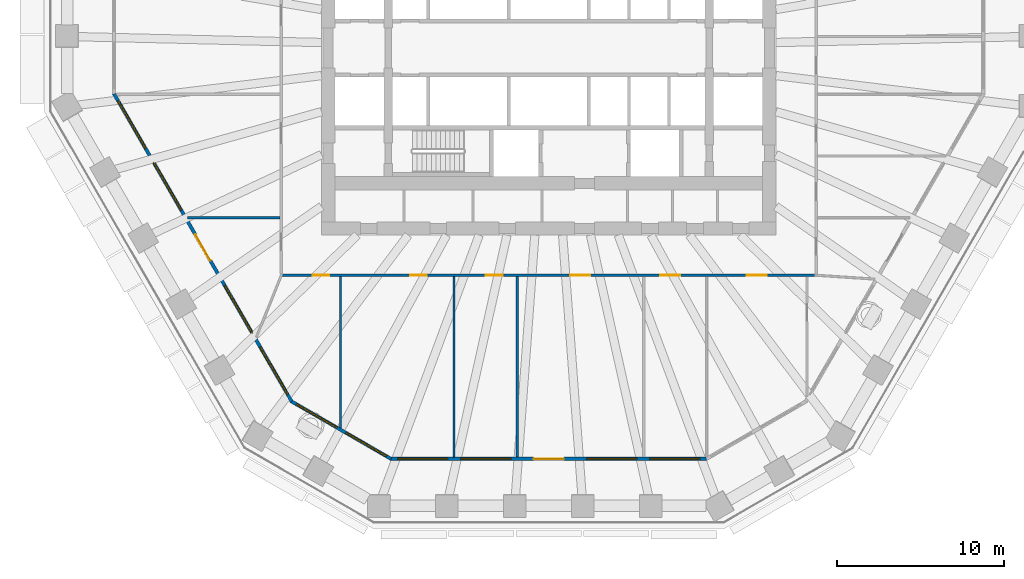
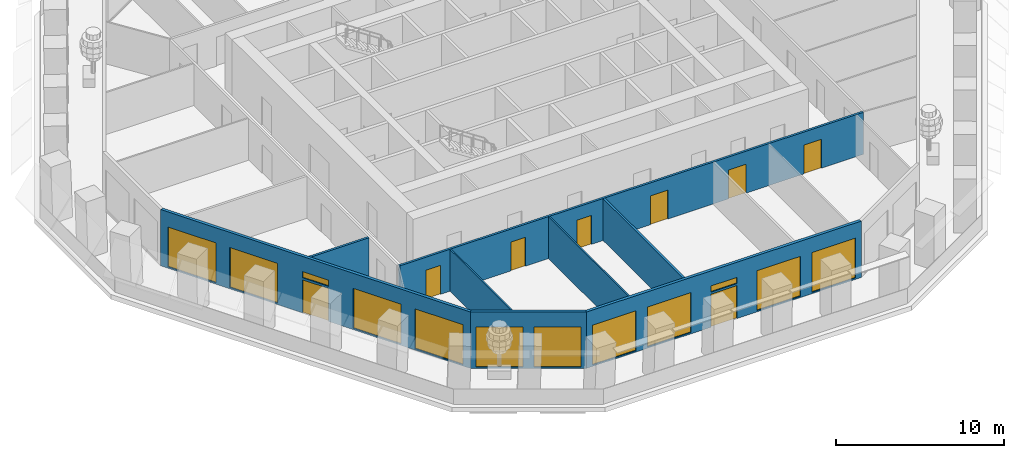
# One storey, part 3 of 13: 12 windows, 8 doors, 8 walls, 20 openings.
"""IFC4 building model written with IfcOpenShell, lengths in metres."""

from ifc_helpers import new_model, si_unit, direction, frame, frame_2d, origin, place, context, subcontext, project, spatial, polyline, rectangle, outline, extrude, material, layer, layer_set, type_object, element, fill, save


model = new_model("IFC4")

# Units and contexts
model_context = context("Model", 3, precision=1e-05, world=origin(), true_north=direction((0.0, 1.0)))
body_context = subcontext(model_context, "Body", "Model", "MODEL_VIEW")
ifc_project = project(units=[si_unit("LENGTHUNIT", "METRE"), si_unit("AREAUNIT", "SQUARE_METRE"), si_unit("VOLUMEUNIT", "CUBIC_METRE"), si_unit("PLANEANGLEUNIT", "RADIAN"), si_unit("MASSUNIT", "GRAM", prefix="KILO")], contexts=[model_context])

# Site, building, storey
site_placement = place(None, origin())
site = spatial("IfcSite", under=ifc_project, at=site_placement, CompositionType="ELEMENT")
building_placement = place(site_placement, origin())
building = spatial("IfcBuilding", under=site, at=building_placement, Name="Frailejon Research Tower", CompositionType="ELEMENT")
storey_placement = place(building_placement, frame((0.0, 0.0, 102.800048828125)))
storey = spatial("IfcBuildingStorey", under=building, at=storey_placement, Name="L22", CompositionType="ELEMENT", Elevation=102.800048828125)

# Wall, openings, doors
ifc_material_1 = material(Name="Gypsum board and masonry partition", Category="masonry")
ifc_layer_1 = layer(ifc_material_1, 0.14990234375)
ifc_layer_set_1 = layer_set([ifc_layer_1], Name="Corridor wall EI 60, gypsum on steel studs 150")
wall_type_1 = type_object("IfcWallType", Name="Corridor wall EI 60, gypsum on steel studs 150", PredefinedType="PARTITIONING", material=ifc_layer_set_1)
wall_1_placement = place(storey_placement, frame((-15.949951171875, -13.60009765625, 0.0), z_axis=(0.0, 0.0, 1.0), x_axis=(1.0, 0.0, 0.0)))
wall_1 = element("IfcWall", 1, at=wall_1_placement, inside=storey, type_object=wall_type_1, Name="T:IW:L22:004", PredefinedType="PARTITIONING", context=body_context, shape_type="SweptSolid", body=[
    extrude(rectangle(XDim=31.89990234375, YDim=0.14990234375, at=frame_2d((15.949951171875, 0.0))), origin(), (0.0, 0.0, 1.0), 3.050048828125),
])
opening_1_placement = place(wall_1_placement, frame((1.81787109375, 0.0, 0.0)))
opening_1 = element("IfcOpeningElement", 2, at=opening_1_placement, cuts=wall_1, Name="Opening D1588", PredefinedType="OPENING", context=body_context, shape_type="SweptSolid", body=[
    extrude(rectangle(XDim=1.0, YDim=2.10009765625, at=frame_2d((0.5, 1.050048828125))), frame((0.0, 0.0849609375, 0.0), z_axis=(0.0, -1.0, 0.0), x_axis=(1.0, 0.0, 0.0)), (0.0, 0.0, 1.0), 0.169921875),
])
opening_2_placement = place(wall_1_placement, frame((7.65478515625, 0.0, 0.0)))
opening_2 = element("IfcOpeningElement", 3, at=opening_2_placement, cuts=wall_1, Name="Opening D1589", PredefinedType="OPENING", context=body_context, shape_type="SweptSolid", body=[
    extrude(rectangle(XDim=1.0, YDim=2.10009765625, at=frame_2d((0.5, 1.050048828125))), frame((0.0, 0.0849609375, 0.0), z_axis=(0.0, -1.0, 0.0), x_axis=(1.0, 0.0, 0.0)), (0.0, 0.0, 1.0), 0.169921875),
])
opening_3_placement = place(wall_1_placement, frame((12.187744140625, 0.0, 0.0)))
opening_3 = element("IfcOpeningElement", 4, at=opening_3_placement, cuts=wall_1, Name="Opening D1590", PredefinedType="OPENING", context=body_context, shape_type="SweptSolid", body=[
    extrude(rectangle(XDim=1.0, YDim=2.10009765625, at=frame_2d((0.5, 1.050048828125))), frame((0.0, 0.0849609375, 0.0), z_axis=(0.0, -1.0, 0.0), x_axis=(1.0, 0.0, 0.0)), (0.0, 0.0, 1.0), 0.169921875),
])
opening_4_placement = place(wall_1_placement, frame((17.241455078125, 0.0, 0.0)))
opening_4 = element("IfcOpeningElement", 5, at=opening_4_placement, cuts=wall_1, Name="Opening D1591", PredefinedType="OPENING", context=body_context, shape_type="SweptSolid", body=[
    extrude(rectangle(XDim=1.199951171875, YDim=2.10009765625, at=frame_2d((0.60009765625, 1.050048828125))), frame((0.0, 0.0849609375, 0.0), z_axis=(0.0, -1.0, 0.0), x_axis=(1.0, 0.0, 0.0)), (0.0, 0.0, 1.0), 0.169921875),
])
opening_5_placement = place(wall_1_placement, frame((22.63330078125, 0.0, 0.0)))
opening_5 = element("IfcOpeningElement", 6, at=opening_5_placement, cuts=wall_1, Name="Opening D1592", PredefinedType="OPENING", context=body_context, shape_type="SweptSolid", body=[
    extrude(rectangle(XDim=1.199951171875, YDim=2.10009765625, at=frame_2d((0.60009765625, 1.050048828125))), frame((0.0, 0.0849609375, 0.0), z_axis=(0.0, -1.0, 0.0), x_axis=(1.0, 0.0, 0.0)), (0.0, 0.0, 1.0), 0.169921875),
])
opening_6_placement = place(wall_1_placement, frame((27.80712890625, 0.0, 0.0)))
opening_6 = element("IfcOpeningElement", 7, at=opening_6_placement, cuts=wall_1, Name="Opening D1593", PredefinedType="OPENING", context=body_context, shape_type="SweptSolid", body=[
    extrude(rectangle(XDim=1.199951171875, YDim=2.10009765625, at=frame_2d((0.60009765625, 1.050048828125))), frame((0.0, 0.0849609375, 0.0), z_axis=(0.0, -1.0, 0.0), x_axis=(1.0, 0.0, 0.0)), (0.0, 0.0, 1.0), 0.169921875),
])
ifc_material_2 = material(Name="Timber door leaf", Category="wood")
door_type_1 = type_object("IfcDoorType", Name="Door laboratory, timber, vision panel 1200", OperationType="NOTDEFINED", PredefinedType="DOOR", material=ifc_material_2)
door_1_placement = place(opening_4_placement, origin())
door_1 = element("IfcDoor", 8, at=door_1_placement, inside=storey, type_object=door_type_1, Name="D1591", OperationType="DOUBLE_DOOR_SINGLE_SWING", OverallHeight=2.10009765625, OverallWidth=1.199951171875, PredefinedType="DOOR", context=body_context, shape_type="SweptSolid", body=[
    extrude(rectangle(XDim=1.199951171875, YDim=2.10009765625, at=frame_2d((0.60009765625, 1.050048828125))), frame((0.0, 0.02490234375, 0.0), z_axis=(0.0, -1.0, 0.0), x_axis=(1.0, 0.0, 0.0)), (0.0, 0.0, 1.0), 0.050048828125),
])
fill(opening_4, door_1)
ifc_material_3 = material(Name="Timber door leaf", Category="wood")
door_type_2 = type_object("IfcDoorType", Name="Door single leaf, timber, steel frame 1000", OperationType="NOTDEFINED", PredefinedType="DOOR", material=ifc_material_3)
door_2_placement = place(opening_1_placement, origin())
door_2 = element("IfcDoor", 9, at=door_2_placement, inside=storey, type_object=door_type_2, Name="D1588", OperationType="SINGLE_SWING_LEFT", OverallHeight=2.10009765625, OverallWidth=1.0, PredefinedType="DOOR", context=body_context, shape_type="SweptSolid", body=[
    extrude(rectangle(XDim=1.0, YDim=2.10009765625, at=frame_2d((0.5, 1.050048828125))), frame((0.0, 0.02490234375, 0.0), z_axis=(0.0, -1.0, 0.0), x_axis=(1.0, 0.0, 0.0)), (0.0, 0.0, 1.0), 0.050048828125),
])
fill(opening_1, door_2)
door_3_placement = place(opening_2_placement, origin())
door_3 = element("IfcDoor", 10, at=door_3_placement, inside=storey, type_object=door_type_2, Name="D1589", OperationType="SINGLE_SWING_LEFT", OverallHeight=2.10009765625, OverallWidth=1.0, PredefinedType="DOOR", context=body_context, shape_type="SweptSolid", body=[
    extrude(rectangle(XDim=1.0, YDim=2.10009765625, at=frame_2d((0.5, 1.050048828125))), frame((0.0, 0.02490234375, 0.0), z_axis=(0.0, -1.0, 0.0), x_axis=(1.0, 0.0, 0.0)), (0.0, 0.0, 1.0), 0.050048828125),
])
fill(opening_2, door_3)
door_4_placement = place(opening_3_placement, origin())
door_4 = element("IfcDoor", 11, at=door_4_placement, inside=storey, type_object=door_type_2, Name="D1590", OperationType="SINGLE_SWING_RIGHT", OverallHeight=2.10009765625, OverallWidth=1.0, PredefinedType="DOOR", context=body_context, shape_type="SweptSolid", body=[
    extrude(rectangle(XDim=1.0, YDim=2.10009765625, at=frame_2d((0.5, 1.050048828125))), frame((0.0, 0.02490234375, 0.0), z_axis=(0.0, -1.0, 0.0), x_axis=(1.0, 0.0, 0.0)), (0.0, 0.0, 1.0), 0.050048828125),
])
fill(opening_3, door_4)
ifc_material_4 = material(Name="Timber door leaf", Category="wood")
door_type_3 = type_object("IfcDoorType", Name="Door single leaf, timber, steel frame 1200", OperationType="NOTDEFINED", PredefinedType="DOOR", material=ifc_material_4)
door_5_placement = place(opening_5_placement, origin())
door_5 = element("IfcDoor", 12, at=door_5_placement, inside=storey, type_object=door_type_3, Name="D1592", OperationType="DOUBLE_DOOR_SINGLE_SWING", OverallHeight=2.10009765625, OverallWidth=1.199951171875, PredefinedType="DOOR", context=body_context, shape_type="SweptSolid", body=[
    extrude(rectangle(XDim=1.199951171875, YDim=2.10009765625, at=frame_2d((0.60009765625, 1.050048828125))), frame((0.0, 0.02490234375, 0.0), z_axis=(0.0, -1.0, 0.0), x_axis=(1.0, 0.0, 0.0)), (0.0, 0.0, 1.0), 0.050048828125),
])
fill(opening_5, door_5)
door_6_placement = place(opening_6_placement, origin())
door_6 = element("IfcDoor", 13, at=door_6_placement, inside=storey, type_object=door_type_3, Name="D1593", OperationType="DOUBLE_DOOR_SINGLE_SWING", OverallHeight=2.10009765625, OverallWidth=1.199951171875, PredefinedType="DOOR", context=body_context, shape_type="SweptSolid", body=[
    extrude(rectangle(XDim=1.199951171875, YDim=2.10009765625, at=frame_2d((0.60009765625, 1.050048828125))), frame((0.0, 0.02490234375, 0.0), z_axis=(0.0, -1.0, 0.0), x_axis=(1.0, 0.0, 0.0)), (0.0, 0.0, 1.0), 0.050048828125),
])
fill(opening_6, door_6)

# Walls
ifc_material_5 = material(Name="Gypsum board and masonry partition", Category="masonry")
ifc_layer_2 = layer(ifc_material_5, 0.14990234375)
ifc_layer_set_2 = layer_set([ifc_layer_2], Name="Laboratory partition, blockwork 150")
wall_type_2 = type_object("IfcWallType", Name="Laboratory partition, blockwork 150", PredefinedType="PARTITIONING", material=ifc_layer_set_2)
wall_2_placement = place(storey_placement, frame((-21.619140625, -10.154541015625, 0.0), z_axis=(0.0, 0.0, 1.0), x_axis=(1.0, 0.0, 0.0)))
element("IfcWall", 14, at=wall_2_placement, inside=storey, type_object=wall_type_2, Name="T:IW:L22:008", PredefinedType="PARTITIONING", context=body_context, shape_type="SweptSolid", body=[
    extrude(rectangle(XDim=5.544189453125, YDim=0.14990234375, at=frame_2d((2.77197265625, 0.0))), origin(), (0.0, 0.0, 1.0), 3.050048828125),
])
wall_3_placement = place(storey_placement, frame((-1.891357421875, -24.491455078125, 0.0), z_axis=(0.0, 0.0, 1.0), x_axis=(0.0, 1.0, 0.0)))
element("IfcWall", 15, at=wall_3_placement, inside=storey, type_object=wall_type_2, Name="T:IW:L22:009", PredefinedType="PARTITIONING", context=body_context, shape_type="SweptSolid", body=[
    extrude(rectangle(XDim=10.81640625, YDim=0.14990234375, at=frame_2d((5.408203125, 0.0))), origin(), (0.0, 0.0, 1.0), 3.050048828125),
])
ifc_material_6 = material(Name="Gypsum board and masonry partition", Category="masonry")
ifc_layer_3 = layer(ifc_material_6, 0.10009765625)
ifc_layer_set_3 = layer_set([ifc_layer_3], Name="Partition, gypsum on steel studs 100")
wall_type_3 = type_object("IfcWallType", Name="Partition, gypsum on steel studs 100", PredefinedType="PARTITIONING", material=ifc_layer_set_3)
wall_4_placement = place(storey_placement, frame((-12.457275390625, -22.728515625, 0.0), z_axis=(0.0, 0.0, 1.0), x_axis=(0.0, 1.0, 0.0)))
element("IfcWall", 16, at=wall_4_placement, inside=storey, type_object=wall_type_3, Name="T:IW:L22:021", PredefinedType="PARTITIONING", context=body_context, shape_type="SweptSolid", body=[
    extrude(rectangle(XDim=9.053466796875, YDim=0.10009765625, at=frame_2d((4.52685546875, 0.0))), origin(), (0.0, 0.0, 1.0), 3.050048828125),
])
wall_5_placement = place(storey_placement, frame((-5.67431640625, -24.491455078125, 0.0), z_axis=(0.0, 0.0, 1.0), x_axis=(0.0, 1.0, 0.0)))
element("IfcWall", 17, at=wall_5_placement, inside=storey, type_object=wall_type_3, Name="T:IW:L22:022", PredefinedType="PARTITIONING", context=body_context, shape_type="SweptSolid", body=[
    extrude(rectangle(XDim=10.81640625, YDim=0.10009765625, at=frame_2d((5.408203125, 0.0))), origin(), (0.0, 0.0, 1.0), 3.050048828125),
])

# Wall, openings, door, windows
ifc_material_7 = material(Name="Concrete C40/50 precast window wall panel", Category="concrete")
ifc_layer_4 = layer(ifc_material_7, 0.199951171875)
ifc_layer_set_4 = layer_set([ifc_layer_4], Name="Window wall 200")
wall_type_4 = type_object("IfcWallType", Name="Window wall 200", PredefinedType="SOLIDWALL", material=ifc_layer_set_4)
wall_6_placement = place(storey_placement, frame((-26.011962890625, -2.745849609375, 0.0), z_axis=(0.0, 0.0, 1.0), x_axis=(0.499998188434, -0.86602644969, 0.0)))
wall_6 = element("IfcWall", 18, at=wall_6_placement, inside=storey, type_object=wall_type_4, Name="Exterior wall L22", PredefinedType="SOLIDWALL", context=body_context, shape_type="SweptSolid", body=[
    extrude(outline(polyline([(-0.02685546875, -0.10009765625), (0.98779296875, -0.10009765625), (2.002685546875, -0.10009765625), (3.017333984375, -0.10009765625), (4.0322265625, -0.10009765625), (5.046875, -0.10009765625), (6.0615234375, -0.10009765625), (7.076416015625, -0.10009765625), (8.091064453125, -0.10009765625), (9.105712890625, -0.10009765625), (10.12060546875, -0.10009765625), (11.13525390625, -0.10009765625), (12.150146484375, -0.10009765625), (13.164794921875, -0.10009765625), (14.179443359375, -0.10009765625), (15.1943359375, -0.10009765625), (16.208984375, -0.10009765625), (17.2236328125, -0.10009765625), (18.238525390625, -0.10009765625), (19.253173828125, -0.10009765625), (20.26806640625, -0.10009765625), (21.28271484375, -0.10009765625), (21.22900390625, 0.10009765625), (20.219482421875, 0.10009765625), (19.209716796875, 0.10009765625), (18.2001953125, 0.10009765625), (17.1904296875, 0.10009765625), (16.180908203125, 0.10009765625), (15.171142578125, 0.10009765625), (14.16162109375, 0.10009765625), (13.152099609375, 0.10009765625), (12.142333984375, 0.10009765625), (11.1328125, 0.10009765625), (10.123046875, 0.10009765625), (9.113525390625, 0.10009765625), (8.103759765625, 0.10009765625), (7.09423828125, 0.10009765625), (6.084716796875, 0.10009765625), (5.074951171875, 0.10009765625), (4.0654296875, 0.10009765625), (3.0556640625, 0.10009765625), (2.046142578125, 0.10009765625), (1.036376953125, 0.10009765625), (0.02685546875, 0.10009765625), (-0.02685546875, -0.10009765625)])), origin(), (0.0, 0.0, 1.0), 4.099853515625),
])
opening_7_placement = place(wall_6_placement, frame((0.4755859375, 0.0, 0.10009765625)))
opening_7 = element("IfcOpeningElement", 19, at=opening_7_placement, cuts=wall_6, Name="Opening W5", PredefinedType="OPENING", context=body_context, shape_type="SweptSolid", body=[
    extrude(rectangle(XDim=3.300048828125, YDim=2.89990234375, at=frame_2d((1.64990234375, 1.449951171875))), frame((0.0, 0.10986328125, 0.0), z_axis=(0.0, -1.0, 0.0), x_axis=(1.0, 0.0, 0.0)), (0.0, 0.0, 1.0), 0.219970703125),
])
opening_8_placement = place(wall_6_placement, frame((4.726806640625, 0.0, 0.10009765625)))
opening_8 = element("IfcOpeningElement", 20, at=opening_8_placement, cuts=wall_6, Name="Opening W5", PredefinedType="OPENING", context=body_context, shape_type="SweptSolid", body=[
    extrude(rectangle(XDim=3.300048828125, YDim=2.89990234375, at=frame_2d((1.64990234375, 1.449951171875))), frame((0.0, 0.10986328125, 0.0), z_axis=(0.0, -1.0, 0.0), x_axis=(1.0, 0.0, 0.0)), (0.0, 0.0, 1.0), 0.219970703125),
])
opening_9_placement = place(wall_6_placement, frame((9.727783203125, 0.0, 0.0)))
opening_9 = element("IfcOpeningElement", 21, at=opening_9_placement, cuts=wall_6, Name="Opening LG22-4", PredefinedType="OPENING", context=body_context, shape_type="SweptSolid", body=[
    extrude(rectangle(XDim=1.800048828125, YDim=2.39990234375, at=frame_2d((0.89990234375, 1.199951171875))), frame((0.0, 0.10986328125, 0.0), z_axis=(0.0, -1.0, 0.0), x_axis=(1.0, 0.0, 0.0)), (0.0, 0.0, 1.0), 0.219970703125),
])
opening_10_placement = place(wall_6_placement, frame((9.727783203125, 0.0, 2.550048828125)))
opening_10 = element("IfcOpeningElement", 22, at=opening_10_placement, cuts=wall_6, Name="Opening W1", PredefinedType="OPENING", context=body_context, shape_type="SweptSolid", body=[
    extrude(rectangle(XDim=1.800048828125, YDim=0.449951171875, at=frame_2d((0.89990234375, 0.22509765625))), frame((0.0, 0.10986328125, 0.0), z_axis=(0.0, -1.0, 0.0), x_axis=(1.0, 0.0, 0.0)), (0.0, 0.0, 1.0), 0.219970703125),
])
opening_11_placement = place(wall_6_placement, frame((13.22900390625, 0.0, 0.10009765625)))
opening_11 = element("IfcOpeningElement", 23, at=opening_11_placement, cuts=wall_6, Name="Opening W5", PredefinedType="OPENING", context=body_context, shape_type="SweptSolid", body=[
    extrude(rectangle(XDim=3.300048828125, YDim=2.89990234375, at=frame_2d((1.64990234375, 1.449951171875))), frame((0.0, 0.10986328125, 0.0), z_axis=(0.0, -1.0, 0.0), x_axis=(1.0, 0.0, 0.0)), (0.0, 0.0, 1.0), 0.219970703125),
])
opening_12_placement = place(wall_6_placement, frame((17.480224609375, 0.0, 0.10009765625)))
opening_12 = element("IfcOpeningElement", 24, at=opening_12_placement, cuts=wall_6, Name="Opening W5", PredefinedType="OPENING", context=body_context, shape_type="SweptSolid", body=[
    extrude(rectangle(XDim=3.300048828125, YDim=2.89990234375, at=frame_2d((1.64990234375, 1.449951171875))), frame((0.0, 0.10986328125, 0.0), z_axis=(0.0, -1.0, 0.0), x_axis=(1.0, 0.0, 0.0)), (0.0, 0.0, 1.0), 0.219970703125),
])
ifc_material_8 = material(Name="Aluminium framed glazed door leaf", Category="aluminium")
door_type_4 = type_object("IfcDoorType", Name="Loggia door 1800x2400", OperationType="DOUBLE_DOOR_SINGLE_SWING", PredefinedType="DOOR", material=ifc_material_8)
door_7_placement = place(opening_9_placement, origin())
door_7 = element("IfcDoor", 25, at=door_7_placement, inside=storey, type_object=door_type_4, Name="Door LG22-4", OperationType="DOUBLE_DOOR_SINGLE_SWING", OverallHeight=2.39990234375, OverallWidth=1.800048828125, PredefinedType="DOOR", context=body_context, shape_type="SweptSolid", body=[
    extrude(rectangle(XDim=1.800048828125, YDim=2.39990234375, at=frame_2d((0.89990234375, 1.199951171875))), frame((0.0, 0.02490234375, 0.0), z_axis=(0.0, -1.0, 0.0), x_axis=(1.0, 0.0, 0.0)), (0.0, 0.0, 1.0), 0.050048828125),
])
fill(opening_9, door_7)
ifc_material_9 = material(Name="Aluminium framed double glazing", Category="aluminium")
window_type_1 = type_object("IfcWindowType", Name="Window 1800x450", PartitioningType="SINGLE_PANEL", PredefinedType="WINDOW", material=ifc_material_9)
window_1_placement = place(opening_10_placement, origin())
window_1 = element("IfcWindow", 26, at=window_1_placement, inside=storey, type_object=window_type_1, Name="Window L22", OverallHeight=0.449951171875, OverallWidth=1.800048828125, PartitioningType="SINGLE_PANEL", PredefinedType="WINDOW", context=body_context, shape_type="SweptSolid", body=[
    extrude(rectangle(XDim=1.800048828125, YDim=0.449951171875, at=frame_2d((0.89990234375, 0.22509765625))), frame((0.0, 0.030029296875, 0.0), z_axis=(0.0, -1.0, 0.0), x_axis=(1.0, 0.0, 0.0)), (0.0, 0.0, 1.0), 0.06005859375),
])
fill(opening_10, window_1)
ifc_material_10 = material(Name="Aluminium framed double glazing", Category="aluminium")
window_type_2 = type_object("IfcWindowType", Name="Window 3300x2900", PartitioningType="SINGLE_PANEL", PredefinedType="WINDOW", material=ifc_material_10)
window_2_placement = place(opening_7_placement, origin())
window_2 = element("IfcWindow", 27, at=window_2_placement, inside=storey, type_object=window_type_2, Name="Window L22", OverallHeight=2.89990234375, OverallWidth=3.300048828125, PartitioningType="SINGLE_PANEL", PredefinedType="WINDOW", context=body_context, shape_type="SweptSolid", body=[
    extrude(rectangle(XDim=3.300048828125, YDim=2.89990234375, at=frame_2d((1.64990234375, 1.449951171875))), frame((0.0, 0.030029296875, 0.0), z_axis=(0.0, -1.0, 0.0), x_axis=(1.0, 0.0, 0.0)), (0.0, 0.0, 1.0), 0.06005859375),
])
fill(opening_7, window_2)
window_3_placement = place(opening_8_placement, origin())
window_3 = element("IfcWindow", 28, at=window_3_placement, inside=storey, type_object=window_type_2, Name="Window L22", OverallHeight=2.89990234375, OverallWidth=3.300048828125, PartitioningType="SINGLE_PANEL", PredefinedType="WINDOW", context=body_context, shape_type="SweptSolid", body=[
    extrude(rectangle(XDim=3.300048828125, YDim=2.89990234375, at=frame_2d((1.64990234375, 1.449951171875))), frame((0.0, 0.030029296875, 0.0), z_axis=(0.0, -1.0, 0.0), x_axis=(1.0, 0.0, 0.0)), (0.0, 0.0, 1.0), 0.06005859375),
])
fill(opening_8, window_3)
window_4_placement = place(opening_11_placement, origin())
window_4 = element("IfcWindow", 29, at=window_4_placement, inside=storey, type_object=window_type_2, Name="Window L22", OverallHeight=2.89990234375, OverallWidth=3.300048828125, PartitioningType="SINGLE_PANEL", PredefinedType="WINDOW", context=body_context, shape_type="SweptSolid", body=[
    extrude(rectangle(XDim=3.300048828125, YDim=2.89990234375, at=frame_2d((1.64990234375, 1.449951171875))), frame((0.0, 0.030029296875, 0.0), z_axis=(0.0, -1.0, 0.0), x_axis=(1.0, 0.0, 0.0)), (0.0, 0.0, 1.0), 0.06005859375),
])
fill(opening_11, window_4)
window_5_placement = place(opening_12_placement, origin())
window_5 = element("IfcWindow", 30, at=window_5_placement, inside=storey, type_object=window_type_2, Name="Window L22", OverallHeight=2.89990234375, OverallWidth=3.300048828125, PartitioningType="SINGLE_PANEL", PredefinedType="WINDOW", context=body_context, shape_type="SweptSolid", body=[
    extrude(rectangle(XDim=3.300048828125, YDim=2.89990234375, at=frame_2d((1.64990234375, 1.449951171875))), frame((0.0, 0.030029296875, 0.0), z_axis=(0.0, -1.0, 0.0), x_axis=(1.0, 0.0, 0.0)), (0.0, 0.0, 1.0), 0.06005859375),
])
fill(opening_12, window_5)

# Wall, openings, windows
wall_7_placement = place(storey_placement, frame((-15.384033203125, -21.154052734375, 0.0), z_axis=(0.0, 0.0, 1.0), x_axis=(0.866029458321, -0.49999297727, 0.0)))
wall_7 = element("IfcWall", 31, at=wall_7_placement, inside=storey, type_object=wall_type_4, Name="Exterior wall L22", PredefinedType="SOLIDWALL", context=body_context, shape_type="SweptSolid", body=[
    extrude(outline(polyline([(-0.02685546875, -0.10009765625), (1.1279296875, -0.10009765625), (2.282470703125, -0.10009765625), (3.437255859375, -0.10009765625), (4.592041015625, -0.10009765625), (5.74658203125, -0.10009765625), (6.9013671875, -0.10009765625), (6.84765625, 0.10009765625), (5.7109375, 0.10009765625), (4.573974609375, 0.10009765625), (3.437255859375, 0.10009765625), (2.300537109375, 0.10009765625), (1.16357421875, 0.10009765625), (0.02685546875, 0.10009765625), (-0.02685546875, -0.10009765625)])), origin(), (0.0, 0.0, 1.0), 4.099853515625),
])
opening_13_placement = place(wall_7_placement, frame((0.318603515625, 0.0, 0.10009765625)))
opening_13 = element("IfcOpeningElement", 32, at=opening_13_placement, cuts=wall_7, Name="Opening W3", PredefinedType="OPENING", context=body_context, shape_type="SweptSolid", body=[
    extrude(rectangle(XDim=2.800048828125, YDim=2.89990234375, at=frame_2d((1.39990234375, 1.449951171875))), frame((0.0, 0.10986328125, 0.0), z_axis=(0.0, -1.0, 0.0), x_axis=(1.0, 0.0, 0.0)), (0.0, 0.0, 1.0), 0.219970703125),
])
opening_14_placement = place(wall_7_placement, frame((3.756103515625, 0.0, 0.10009765625)))
opening_14 = element("IfcOpeningElement", 33, at=opening_14_placement, cuts=wall_7, Name="Opening W3", PredefinedType="OPENING", context=body_context, shape_type="SweptSolid", body=[
    extrude(rectangle(XDim=2.800048828125, YDim=2.89990234375, at=frame_2d((1.39990234375, 1.449951171875))), frame((0.0, 0.10986328125, 0.0), z_axis=(0.0, -1.0, 0.0), x_axis=(1.0, 0.0, 0.0)), (0.0, 0.0, 1.0), 0.219970703125),
])
ifc_material_11 = material(Name="Aluminium framed double glazing", Category="aluminium")
window_type_3 = type_object("IfcWindowType", Name="Window 2800x2900", PartitioningType="SINGLE_PANEL", PredefinedType="WINDOW", material=ifc_material_11)
window_6_placement = place(opening_13_placement, origin())
window_6 = element("IfcWindow", 34, at=window_6_placement, inside=storey, type_object=window_type_3, Name="Window L22", OverallHeight=2.89990234375, OverallWidth=2.800048828125, PartitioningType="SINGLE_PANEL", PredefinedType="WINDOW", context=body_context, shape_type="SweptSolid", body=[
    extrude(rectangle(XDim=2.800048828125, YDim=2.89990234375, at=frame_2d((1.39990234375, 1.449951171875))), frame((0.0, 0.030029296875, 0.0), z_axis=(0.0, -1.0, 0.0), x_axis=(1.0, 0.0, 0.0)), (0.0, 0.0, 1.0), 0.06005859375),
])
fill(opening_13, window_6)
window_7_placement = place(opening_14_placement, origin())
window_7 = element("IfcWindow", 35, at=window_7_placement, inside=storey, type_object=window_type_3, Name="Window L22", OverallHeight=2.89990234375, OverallWidth=2.800048828125, PartitioningType="SINGLE_PANEL", PredefinedType="WINDOW", context=body_context, shape_type="SweptSolid", body=[
    extrude(rectangle(XDim=2.800048828125, YDim=2.89990234375, at=frame_2d((1.39990234375, 1.449951171875))), frame((0.0, 0.030029296875, 0.0), z_axis=(0.0, -1.0, 0.0), x_axis=(1.0, 0.0, 0.0)), (0.0, 0.0, 1.0), 0.06005859375),
])
fill(opening_14, window_7)

# Wall, openings, door, windows
wall_8_placement = place(storey_placement, frame((-9.430419921875, -24.59130859375, 0.0), z_axis=(0.0, 0.0, 1.0), x_axis=(1.0, 0.0, 0.0)))
wall_8 = element("IfcWall", 36, at=wall_8_placement, inside=storey, type_object=wall_type_4, Name="Exterior wall L22", PredefinedType="SOLIDWALL", context=body_context, shape_type="SweptSolid", body=[
    extrude(outline(polyline([(-0.02685546875, -0.10009765625), (1.02392578125, -0.10009765625), (2.07470703125, -0.10009765625), (3.12548828125, -0.10009765625), (4.17626953125, -0.10009765625), (5.227294921875, -0.10009765625), (6.278076171875, -0.10009765625), (7.328857421875, -0.10009765625), (8.379638671875, -0.10009765625), (9.430419921875, -0.10009765625), (10.481201171875, -0.10009765625), (11.531982421875, -0.10009765625), (12.582763671875, -0.10009765625), (13.633544921875, -0.10009765625), (14.6845703125, -0.10009765625), (15.7353515625, -0.10009765625), (16.7861328125, -0.10009765625), (17.8369140625, -0.10009765625), (18.8876953125, -0.10009765625), (18.833984375, 0.10009765625), (17.7890625, 0.10009765625), (16.744384765625, 0.10009765625), (15.699462890625, 0.10009765625), (14.654541015625, 0.10009765625), (13.60986328125, 0.10009765625), (12.56494140625, 0.10009765625), (11.52001953125, 0.10009765625), (10.475341796875, 0.10009765625), (9.430419921875, 0.10009765625), (8.385498046875, 0.10009765625), (7.3408203125, 0.10009765625), (6.2958984375, 0.10009765625), (5.2509765625, 0.10009765625), (4.206298828125, 0.10009765625), (3.161376953125, 0.10009765625), (2.116455078125, 0.10009765625), (1.07177734375, 0.10009765625), (0.02685546875, 0.10009765625), (-0.02685546875, -0.10009765625)])), origin(), (0.0, 0.0, 1.0), 4.099853515625),
])
opening_15_placement = place(wall_8_placement, frame((0.385986328125, 0.0, 0.10009765625)))
opening_15 = element("IfcOpeningElement", 37, at=opening_15_placement, cuts=wall_8, Name="Opening W4", PredefinedType="OPENING", context=body_context, shape_type="SweptSolid", body=[
    extrude(rectangle(XDim=3.0, YDim=2.89990234375, at=frame_2d((1.5, 1.449951171875))), frame((0.0, 0.10986328125, 0.0), z_axis=(0.0, -1.0, 0.0), x_axis=(1.0, 0.0, 0.0)), (0.0, 0.0, 1.0), 0.219970703125),
])
opening_16_placement = place(wall_8_placement, frame((4.158203125, 0.0, 0.10009765625)))
opening_16 = element("IfcOpeningElement", 38, at=opening_16_placement, cuts=wall_8, Name="Opening W4", PredefinedType="OPENING", context=body_context, shape_type="SweptSolid", body=[
    extrude(rectangle(XDim=3.0, YDim=2.89990234375, at=frame_2d((1.5, 1.449951171875))), frame((0.0, 0.10986328125, 0.0), z_axis=(0.0, -1.0, 0.0), x_axis=(1.0, 0.0, 0.0)), (0.0, 0.0, 1.0), 0.219970703125),
])
opening_17_placement = place(wall_8_placement, frame((8.530517578125, 0.0, 0.0)))
opening_17 = element("IfcOpeningElement", 39, at=opening_17_placement, cuts=wall_8, Name="Opening LG22-5", PredefinedType="OPENING", context=body_context, shape_type="SweptSolid", body=[
    extrude(rectangle(XDim=1.800048828125, YDim=2.39990234375, at=frame_2d((0.89990234375, 1.199951171875))), frame((0.0, 0.10986328125, 0.0), z_axis=(0.0, -1.0, 0.0), x_axis=(1.0, 0.0, 0.0)), (0.0, 0.0, 1.0), 0.219970703125),
])
opening_18_placement = place(wall_8_placement, frame((8.530517578125, 0.0, 2.550048828125)))
opening_18 = element("IfcOpeningElement", 40, at=opening_18_placement, cuts=wall_8, Name="Opening W1", PredefinedType="OPENING", context=body_context, shape_type="SweptSolid", body=[
    extrude(rectangle(XDim=1.800048828125, YDim=0.449951171875, at=frame_2d((0.89990234375, 0.22509765625))), frame((0.0, 0.10986328125, 0.0), z_axis=(0.0, -1.0, 0.0), x_axis=(1.0, 0.0, 0.0)), (0.0, 0.0, 1.0), 0.219970703125),
])
opening_19_placement = place(wall_8_placement, frame((11.70263671875, 0.0, 0.10009765625)))
opening_19 = element("IfcOpeningElement", 41, at=opening_19_placement, cuts=wall_8, Name="Opening W4", PredefinedType="OPENING", context=body_context, shape_type="SweptSolid", body=[
    extrude(rectangle(XDim=3.0, YDim=2.89990234375, at=frame_2d((1.5, 1.449951171875))), frame((0.0, 0.10986328125, 0.0), z_axis=(0.0, -1.0, 0.0), x_axis=(1.0, 0.0, 0.0)), (0.0, 0.0, 1.0), 0.219970703125),
])
opening_20_placement = place(wall_8_placement, frame((15.474853515625, 0.0, 0.10009765625)))
opening_20 = element("IfcOpeningElement", 42, at=opening_20_placement, cuts=wall_8, Name="Opening W4", PredefinedType="OPENING", context=body_context, shape_type="SweptSolid", body=[
    extrude(rectangle(XDim=3.0, YDim=2.89990234375, at=frame_2d((1.5, 1.449951171875))), frame((0.0, 0.10986328125, 0.0), z_axis=(0.0, -1.0, 0.0), x_axis=(1.0, 0.0, 0.0)), (0.0, 0.0, 1.0), 0.219970703125),
])
door_8_placement = place(opening_17_placement, origin())
door_8 = element("IfcDoor", 43, at=door_8_placement, inside=storey, type_object=door_type_4, Name="Door LG22-5", OperationType="DOUBLE_DOOR_SINGLE_SWING", OverallHeight=2.39990234375, OverallWidth=1.800048828125, PredefinedType="DOOR", context=body_context, shape_type="SweptSolid", body=[
    extrude(rectangle(XDim=1.800048828125, YDim=2.39990234375, at=frame_2d((0.89990234375, 1.199951171875))), frame((0.0, 0.02490234375, 0.0), z_axis=(0.0, -1.0, 0.0), x_axis=(1.0, 0.0, 0.0)), (0.0, 0.0, 1.0), 0.050048828125),
])
fill(opening_17, door_8)
window_8_placement = place(opening_18_placement, origin())
window_8 = element("IfcWindow", 44, at=window_8_placement, inside=storey, type_object=window_type_1, Name="Window L22", OverallHeight=0.449951171875, OverallWidth=1.800048828125, PartitioningType="SINGLE_PANEL", PredefinedType="WINDOW", context=body_context, shape_type="SweptSolid", body=[
    extrude(rectangle(XDim=1.800048828125, YDim=0.449951171875, at=frame_2d((0.89990234375, 0.22509765625))), frame((0.0, 0.030029296875, 0.0), z_axis=(0.0, -1.0, 0.0), x_axis=(1.0, 0.0, 0.0)), (0.0, 0.0, 1.0), 0.06005859375),
])
fill(opening_18, window_8)
ifc_material_12 = material(Name="Aluminium framed double glazing", Category="aluminium")
window_type_4 = type_object("IfcWindowType", Name="Window 3000x2900", PartitioningType="SINGLE_PANEL", PredefinedType="WINDOW", material=ifc_material_12)
window_9_placement = place(opening_15_placement, origin())
window_9 = element("IfcWindow", 45, at=window_9_placement, inside=storey, type_object=window_type_4, Name="Window L22", OverallHeight=2.89990234375, OverallWidth=3.0, PartitioningType="SINGLE_PANEL", PredefinedType="WINDOW", context=body_context, shape_type="SweptSolid", body=[
    extrude(rectangle(XDim=3.0, YDim=2.89990234375, at=frame_2d((1.5, 1.449951171875))), frame((0.0, 0.030029296875, 0.0), z_axis=(0.0, -1.0, 0.0), x_axis=(1.0, 0.0, 0.0)), (0.0, 0.0, 1.0), 0.06005859375),
])
fill(opening_15, window_9)
window_10_placement = place(opening_16_placement, origin())
window_10 = element("IfcWindow", 46, at=window_10_placement, inside=storey, type_object=window_type_4, Name="Window L22", OverallHeight=2.89990234375, OverallWidth=3.0, PartitioningType="SINGLE_PANEL", PredefinedType="WINDOW", context=body_context, shape_type="SweptSolid", body=[
    extrude(rectangle(XDim=3.0, YDim=2.89990234375, at=frame_2d((1.5, 1.449951171875))), frame((0.0, 0.030029296875, 0.0), z_axis=(0.0, -1.0, 0.0), x_axis=(1.0, 0.0, 0.0)), (0.0, 0.0, 1.0), 0.06005859375),
])
fill(opening_16, window_10)
window_11_placement = place(opening_19_placement, origin())
window_11 = element("IfcWindow", 47, at=window_11_placement, inside=storey, type_object=window_type_4, Name="Window L22", OverallHeight=2.89990234375, OverallWidth=3.0, PartitioningType="SINGLE_PANEL", PredefinedType="WINDOW", context=body_context, shape_type="SweptSolid", body=[
    extrude(rectangle(XDim=3.0, YDim=2.89990234375, at=frame_2d((1.5, 1.449951171875))), frame((0.0, 0.030029296875, 0.0), z_axis=(0.0, -1.0, 0.0), x_axis=(1.0, 0.0, 0.0)), (0.0, 0.0, 1.0), 0.06005859375),
])
fill(opening_19, window_11)
window_12_placement = place(opening_20_placement, origin())
window_12 = element("IfcWindow", 48, at=window_12_placement, inside=storey, type_object=window_type_4, Name="Window L22", OverallHeight=2.89990234375, OverallWidth=3.0, PartitioningType="SINGLE_PANEL", PredefinedType="WINDOW", context=body_context, shape_type="SweptSolid", body=[
    extrude(rectangle(XDim=3.0, YDim=2.89990234375, at=frame_2d((1.5, 1.449951171875))), frame((0.0, 0.030029296875, 0.0), z_axis=(0.0, -1.0, 0.0), x_axis=(1.0, 0.0, 0.0)), (0.0, 0.0, 1.0), 0.06005859375),
])
fill(opening_20, window_12)

save(model, "model.ifc")
